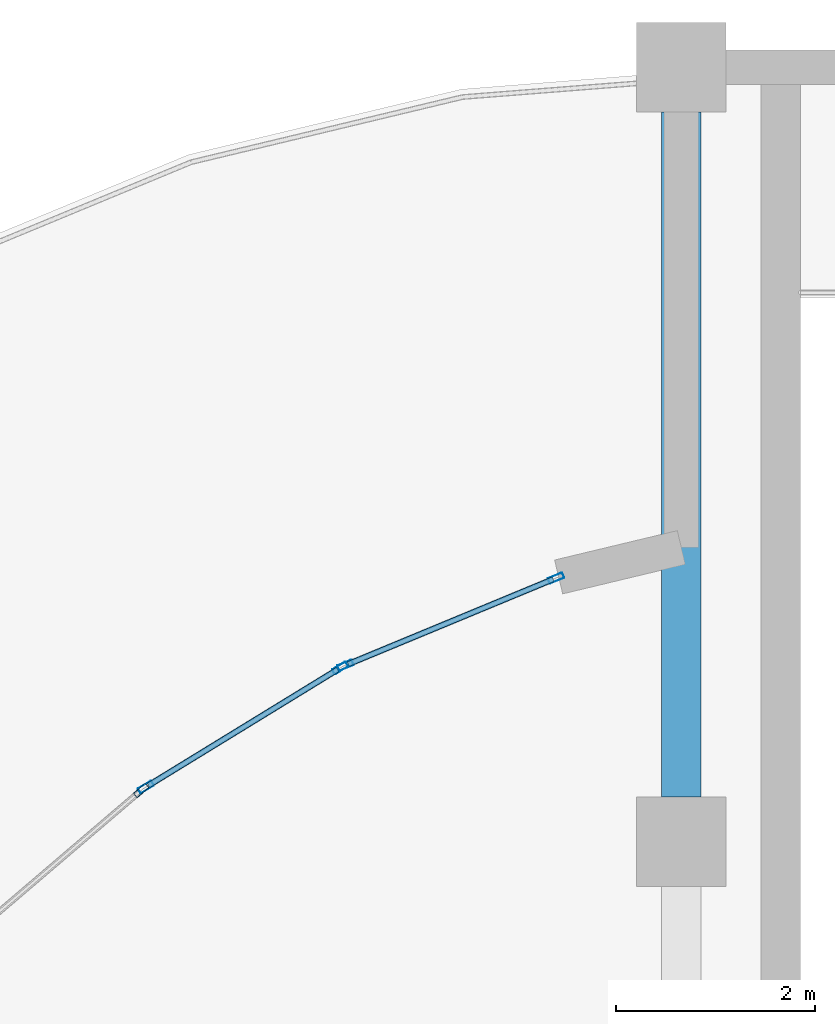
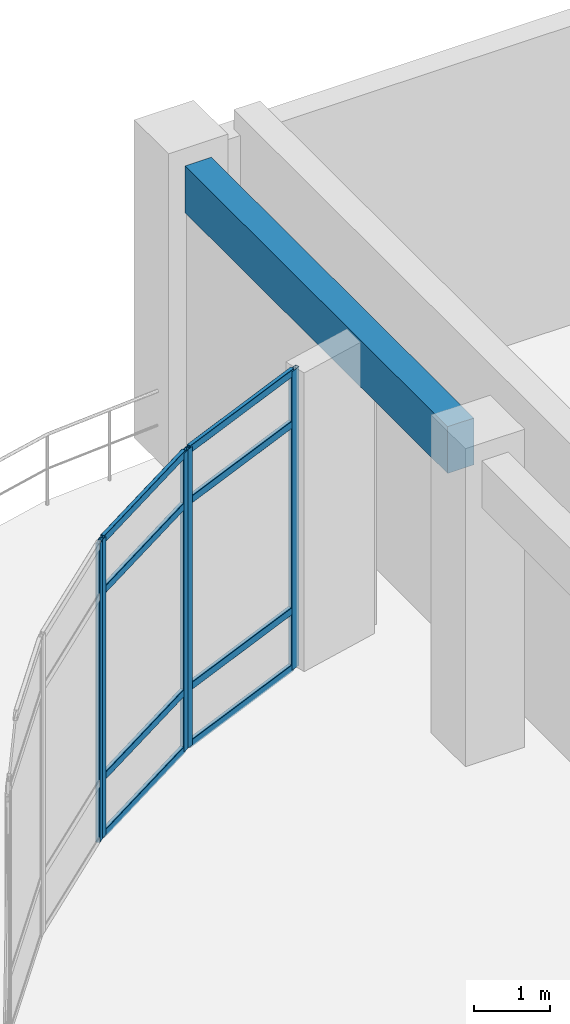
# One storey, part 53 of 120: 13 members, 1 beam, 3 elements without a shape of their own.
"""IFC4 building model written with IfcOpenShell, lengths in metres."""

from ifc_helpers import new_model, si_unit, derived_unit, direction, frame, origin, origin_2d, place, context, subcontext, project, spatial, rectangle, hollow_rectangle, extrude, material, layer, layer_set, material_profile, profile_set, type_object, element, aggregate, save


model = new_model("IFC4")

# Units and contexts
model_context = context("Model", 3, precision=1e-05, world=origin(), true_north=direction((0.0, 1.0)))
body_context = subcontext(model_context, "Body", "Model", "MODEL_VIEW")
ifc_project = project(units=[si_unit("LENGTHUNIT", "METRE"), si_unit("AREAUNIT", "SQUARE_METRE"), si_unit("VOLUMEUNIT", "CUBIC_METRE"), si_unit("PLANEANGLEUNIT", "RADIAN"), si_unit("MASSUNIT", "GRAM", prefix="KILO"), derived_unit("THERMALTRANSMITTANCEUNIT", [(si_unit("MASSUNIT", "GRAM", prefix="KILO"), 1), (si_unit("TIMEUNIT", "SECOND"), -3), (si_unit("THERMODYNAMICTEMPERATUREUNIT", "KELVIN"), -1)])], contexts=[model_context])

# Site, building, storey
site_placement = place(None, origin())
site = spatial("IfcSite", under=ifc_project, at=site_placement, CompositionType="ELEMENT")
building_placement = place(site_placement, origin())
building = spatial("IfcBuilding", under=site, at=building_placement, Name="Qinzheling Arcade Emporium", CompositionType="ELEMENT")
storey_placement = place(building_placement, frame((0.0, 0.0, 11.39990234375)))
storey = spatial("IfcBuildingStorey", under=building, at=storey_placement, Name="L03", CompositionType="ELEMENT", Elevation=11.39990234375)

# Curtain wall, member
ifc_material_1 = material(Name="Anodised aluminium and solar-control double glazing", Category="aluminium")
ifc_layer = layer(ifc_material_1, 0.159912109375, Name="Anodised aluminium and solar-control double glazing", Category="aluminium")
ifc_layer_set = layer_set([ifc_layer], Name="Anodised aluminium and solar-control double glazing")
curtain_wall_type = type_object("IfcCurtainWallType", Name="Curved Ribbon Sales Curtain Wall", PredefinedType="NOTDEFINED", material=ifc_layer_set)
curtain_wall_1_placement = place(storey_placement, origin())
curtain_wall_1 = element("IfcCurtainWall", 1, at=curtain_wall_1_placement, inside=storey, type_object=curtain_wall_type, Name="Curtain Wall CW-L03-179", PredefinedType="NOTDEFINED")
ifc_material_2 = material(Name="Anodised aluminium 6063-T6", Category="aluminium")
ifc_material_profile_1 = material_profile(ifc_material_2, hollow_rectangle(XDim=0.06005859375, YDim=0.159912109375, WallThickness=0.00390625, InnerFilletRadius=0.00390625, OuterFilletRadius=0.008056640625, at=origin_2d()), Name="RHS 160x60x4", Category="aluminium")
ifc_profile_set_1 = profile_set([ifc_material_profile_1], Name="Anodised aluminium 6063-T6")
member_type_1 = type_object("IfcMemberType", Name="Curtain Wall Mullion RHS160x60", PredefinedType="MULLION", material=ifc_profile_set_1)
member_1_placement = place(storey_placement, frame((64.16015625, 107.3154296875, 0.0), z_axis=(0.0, 0.0, 1.0), x_axis=(-0.649250390185, 0.760574737185, 0.0)))
member_1 = element("IfcMember", 2, at=member_1_placement, type_object=member_type_1, Name="CW02 mullion 2", PredefinedType="MULLION", context=body_context, shape_type="SweptSolid", body=[
    extrude(hollow_rectangle(XDim=0.06005859375, YDim=0.159912109375, WallThickness=0.00390625, InnerFilletRadius=0.00390625, OuterFilletRadius=0.008056640625, at=origin_2d()), origin(), (0.0, 0.0, 1.0), 4.7900390625),
])
aggregate(curtain_wall_1, [member_1])

# Curtain wall, members
curtain_wall_2_placement = place(storey_placement, origin())
curtain_wall_2 = element("IfcCurtainWall", 3, at=curtain_wall_2_placement, inside=storey, type_object=curtain_wall_type, Name="Curtain Wall CW-L03-180", PredefinedType="NOTDEFINED")
member_2_placement = place(storey_placement, frame((64.20849609375, 107.3505859375, 0.0), z_axis=(0.0, 0.0, 1.0), x_axis=(-0.522532172191, 0.852619568756, 0.0)))
member_2 = element("IfcMember", 4, at=member_2_placement, type_object=member_type_1, Name="CW02 mullion 1", PredefinedType="MULLION", context=body_context, shape_type="SweptSolid", body=[
    extrude(hollow_rectangle(XDim=0.06005859375, YDim=0.159912109375, WallThickness=0.00390625, InnerFilletRadius=0.00390625, OuterFilletRadius=0.008056640625, at=origin_2d()), origin(), (0.0, 0.0, 1.0), 4.7900390625),
])
member_3_placement = place(storey_placement, frame((66.164306640625, 108.54931640625, 0.0), z_axis=(0.0, 0.0, 1.0), x_axis=(-0.522532172191, 0.852619568756, 0.0)))
member_3 = element("IfcMember", 5, at=member_3_placement, type_object=member_type_1, Name="CW02 mullion 2", PredefinedType="MULLION", context=body_context, shape_type="SweptSolid", body=[
    extrude(hollow_rectangle(XDim=0.06005859375, YDim=0.159912109375, WallThickness=0.00390625, InnerFilletRadius=0.00390625, OuterFilletRadius=0.008056640625, at=origin_2d()), origin(), (0.0, 0.0, 1.0), 4.7900390625),
])

curtain_wall_3_placement = place(storey_placement, origin())
curtain_wall_3 = element("IfcCurtainWall", 6, at=curtain_wall_3_placement, inside=storey, type_object=curtain_wall_type, Name="Curtain Wall CW-L03-181", PredefinedType="NOTDEFINED")
member_4_placement = place(storey_placement, frame((66.2177734375, 108.576416015625, 0.0), z_axis=(0.0, 0.0, 1.0), x_axis=(-0.382714431752, 0.923866691535, 0.0)))
member_4 = element("IfcMember", 7, at=member_4_placement, type_object=member_type_1, Name="CW02 mullion 1", PredefinedType="MULLION", context=body_context, shape_type="SweptSolid", body=[
    extrude(hollow_rectangle(XDim=0.06005859375, YDim=0.159912109375, WallThickness=0.00390625, InnerFilletRadius=0.00390625, OuterFilletRadius=0.008056640625, at=origin_2d()), origin(), (0.0, 0.0, 1.0), 4.7900390625),
])
member_5_placement = place(storey_placement, frame((68.33740234375, 109.45458984375, 0.0), z_axis=(0.0, 0.0, 1.0), x_axis=(-0.382714431752, 0.923866691535, 0.0)))
member_5 = element("IfcMember", 8, at=member_5_placement, type_object=member_type_1, Name="CW02 mullion 2", PredefinedType="MULLION", context=body_context, shape_type="SweptSolid", body=[
    extrude(hollow_rectangle(XDim=0.06005859375, YDim=0.159912109375, WallThickness=0.00390625, InnerFilletRadius=0.00390625, OuterFilletRadius=0.008056640625, at=origin_2d()), origin(), (0.0, 0.0, 1.0), 4.7900390625),
])

# Member
ifc_material_profile_2 = material_profile(ifc_material_2, hollow_rectangle(XDim=0.06005859375, YDim=0.1201171875, WallThickness=0.00390625, InnerFilletRadius=0.00390625, OuterFilletRadius=0.008056640625, at=origin_2d()), Name="RHS 120x60x4", Category="aluminium")
ifc_profile_set_2 = profile_set([ifc_material_profile_2], Name="Anodised aluminium 6063-T6")
member_type_2 = type_object("IfcMemberType", Name="Curtain Wall Transom RHS120x60", PredefinedType="USERDEFINED", material=ifc_profile_set_2)
member_6_placement = place(storey_placement, frame((64.234130859375, 107.366455078125, 0.030029296875), z_axis=(0.852643657578, 0.52249286425, 0.0), x_axis=(-0.52249286425, 0.852643657578, 0.0)))
member_6 = element("IfcMember", 9, at=member_6_placement, type_object=member_type_2, Name="CW02 transom 1.1", ObjectType="TRANSOM", PredefinedType="USERDEFINED", context=body_context, shape_type="SweptSolid", body=[
    extrude(hollow_rectangle(XDim=0.06005859375, YDim=0.1201171875, WallThickness=0.00390625, InnerFilletRadius=0.00390625, OuterFilletRadius=0.008056640625, at=origin_2d()), origin(), (0.0, 0.0, 1.0), 2.23388671875),
])

member_7_placement = place(storey_placement, frame((64.234130859375, 107.366455078125, 0.9501953125), z_axis=(0.852643657578, 0.52249286425, 0.0), x_axis=(-0.52249286425, 0.852643657578, 0.0)))
member_7 = element("IfcMember", 10, at=member_7_placement, type_object=member_type_2, Name="CW02 transom 1.2", ObjectType="TRANSOM", PredefinedType="USERDEFINED", context=body_context, shape_type="SweptSolid", body=[
    extrude(hollow_rectangle(XDim=0.06005859375, YDim=0.1201171875, WallThickness=0.00390625, InnerFilletRadius=0.00390625, OuterFilletRadius=0.008056640625, at=origin_2d()), origin(), (0.0, 0.0, 1.0), 2.23388671875),
])

member_8_placement = place(storey_placement, frame((64.234130859375, 107.366455078125, 3.940185546875), z_axis=(0.852643657578, 0.52249286425, 0.0), x_axis=(-0.52249286425, 0.852643657578, 0.0)))
member_8 = element("IfcMember", 11, at=member_8_placement, type_object=member_type_2, Name="CW02 transom 1.3", ObjectType="TRANSOM", PredefinedType="USERDEFINED", context=body_context, shape_type="SweptSolid", body=[
    extrude(hollow_rectangle(XDim=0.06005859375, YDim=0.1201171875, WallThickness=0.00390625, InnerFilletRadius=0.00390625, OuterFilletRadius=0.008056640625, at=origin_2d()), origin(), (0.0, 0.0, 1.0), 2.23388671875),
])

member_9_placement = place(storey_placement, frame((64.234130859375, 107.366455078125, 4.760009765625), z_axis=(0.852643657578, 0.52249286425, 0.0), x_axis=(-0.52249286425, 0.852643657578, 0.0)))
member_9 = element("IfcMember", 12, at=member_9_placement, type_object=member_type_2, Name="CW02 transom 1.4", ObjectType="TRANSOM", PredefinedType="USERDEFINED", context=body_context, shape_type="SweptSolid", body=[
    extrude(hollow_rectangle(XDim=0.06005859375, YDim=0.1201171875, WallThickness=0.00390625, InnerFilletRadius=0.00390625, OuterFilletRadius=0.008056640625, at=origin_2d()), origin(), (0.0, 0.0, 1.0), 2.23388671875),
])

aggregate(curtain_wall_2, [member_2, member_3, member_6, member_7, member_8, member_9])

member_10_placement = place(storey_placement, frame((66.245361328125, 108.587890625, 0.030029296875), z_axis=(0.923847684188, 0.382760311971, 0.0), x_axis=(-0.382760311971, 0.923847684188, 0.0)))
member_10 = element("IfcMember", 13, at=member_10_placement, type_object=member_type_2, Name="CW02 transom 1.1", ObjectType="TRANSOM", PredefinedType="USERDEFINED", context=body_context, shape_type="SweptSolid", body=[
    extrude(hollow_rectangle(XDim=0.06005859375, YDim=0.1201171875, WallThickness=0.00390625, InnerFilletRadius=0.00390625, OuterFilletRadius=0.008056640625, at=origin_2d()), origin(), (0.0, 0.0, 1.0), 2.234375),
])

member_11_placement = place(storey_placement, frame((66.245361328125, 108.587890625, 0.9501953125), z_axis=(0.923847684188, 0.382760311971, 0.0), x_axis=(-0.382760311971, 0.923847684188, 0.0)))
member_11 = element("IfcMember", 14, at=member_11_placement, type_object=member_type_2, Name="CW02 transom 1.2", ObjectType="TRANSOM", PredefinedType="USERDEFINED", context=body_context, shape_type="SweptSolid", body=[
    extrude(hollow_rectangle(XDim=0.06005859375, YDim=0.1201171875, WallThickness=0.00390625, InnerFilletRadius=0.00390625, OuterFilletRadius=0.008056640625, at=origin_2d()), origin(), (0.0, 0.0, 1.0), 2.234375),
])

member_12_placement = place(storey_placement, frame((66.245361328125, 108.587890625, 3.940185546875), z_axis=(0.923847684188, 0.382760311971, 0.0), x_axis=(-0.382760311971, 0.923847684188, 0.0)))
member_12 = element("IfcMember", 15, at=member_12_placement, type_object=member_type_2, Name="CW02 transom 1.3", ObjectType="TRANSOM", PredefinedType="USERDEFINED", context=body_context, shape_type="SweptSolid", body=[
    extrude(hollow_rectangle(XDim=0.06005859375, YDim=0.1201171875, WallThickness=0.00390625, InnerFilletRadius=0.00390625, OuterFilletRadius=0.008056640625, at=origin_2d()), origin(), (0.0, 0.0, 1.0), 2.234375),
])

member_13_placement = place(storey_placement, frame((66.245361328125, 108.587890625, 4.760009765625), z_axis=(0.923847684188, 0.382760311971, 0.0), x_axis=(-0.382760311971, 0.923847684188, 0.0)))
member_13 = element("IfcMember", 16, at=member_13_placement, type_object=member_type_2, Name="CW02 transom 1.4", ObjectType="TRANSOM", PredefinedType="USERDEFINED", context=body_context, shape_type="SweptSolid", body=[
    extrude(hollow_rectangle(XDim=0.06005859375, YDim=0.1201171875, WallThickness=0.00390625, InnerFilletRadius=0.00390625, OuterFilletRadius=0.008056640625, at=origin_2d()), origin(), (0.0, 0.0, 1.0), 2.234375),
])

aggregate(curtain_wall_3, [member_4, member_5, member_10, member_11, member_12, member_13])

# Beam
ifc_material_3 = material(Name="Concrete C40", Category="concrete")
ifc_material_profile_3 = material_profile(ifc_material_3, rectangle(XDim=0.39990234375, YDim=0.75, at=origin_2d()), Name="RC 400x750", Category="concrete")
ifc_profile_set_3 = profile_set([ifc_material_profile_3], Name="Concrete C40")
beam_type = type_object("IfcBeamType", Name="RC Interior Tie Beam 400x750 C40", PredefinedType="BEAM", material=ifc_profile_set_3)
beam_placement = place(storey_placement, frame((69.60009765625, 107.25, 4.445068359375), z_axis=(0.0, 1.0, 0.0), x_axis=(-1.0, 0.0, 0.0)))
element("IfcBeam", 17, at=beam_placement, inside=storey, type_object=beam_type, Name="Beam BM-L03-Y-9-N", PredefinedType="BEAM", context=body_context, shape_type="SweptSolid", body=[
    extrude(rectangle(XDim=0.39990234375, YDim=0.75, at=origin_2d()), origin(), (0.0, 0.0, 1.0), 6.89990234375),
])

save(model, "model.ifc")
